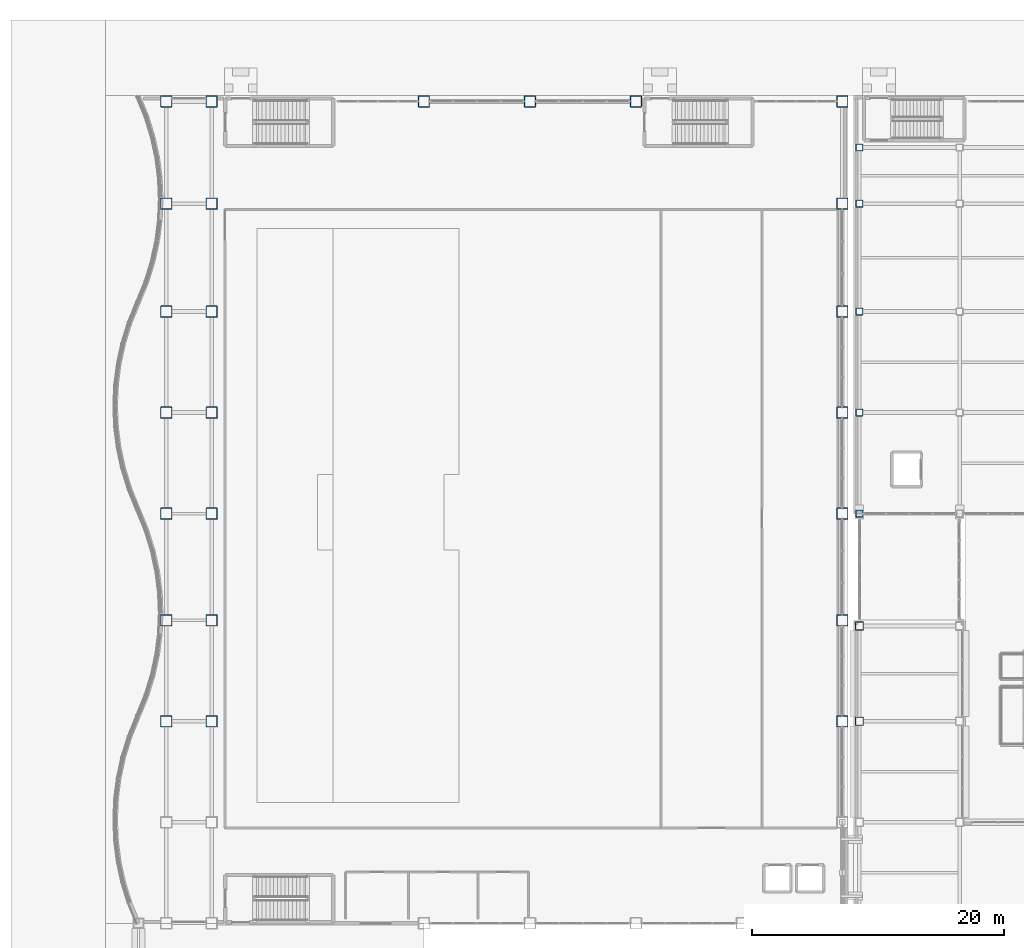
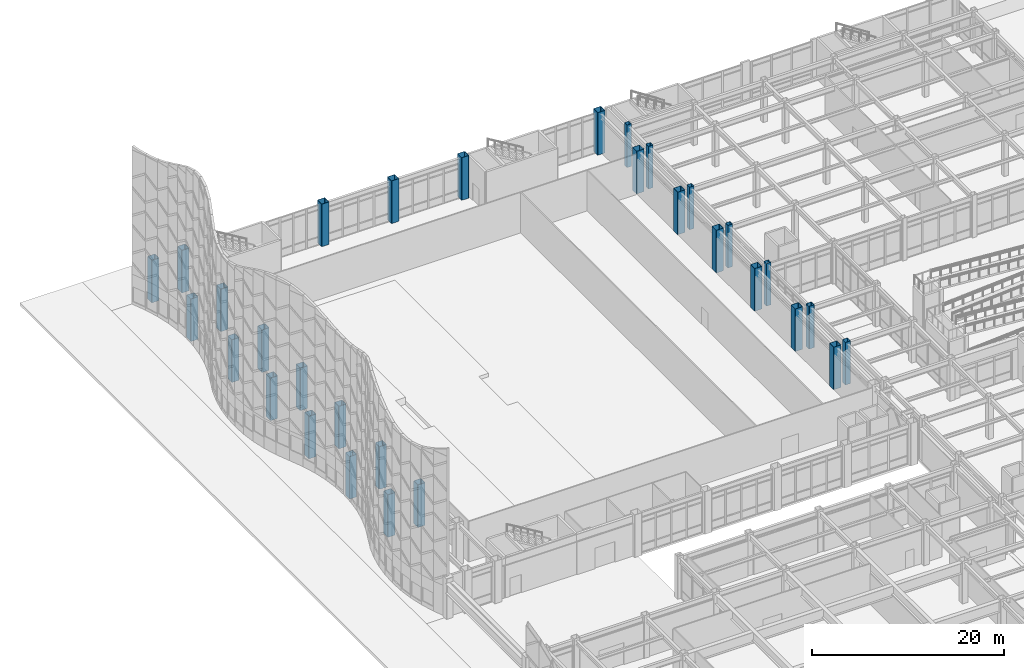
# One storey, part 4 of 165: 31 columns.
"""IFC4 building model written with IfcOpenShell, lengths in metres."""

from ifc_helpers import new_model, si_unit, direction, frame, origin, origin_2d, place, context, subcontext, project, spatial, hollow_rectangle, extrude, material, material_profile, profile_set, type_object, element, save


model = new_model("IFC4")

# Units and contexts
model_context = context("Model", 3, precision=1e-05, world=origin(), true_north=direction((0.0, 1.0)))
body_context = subcontext(model_context, "Body", "Model", "MODEL_VIEW")
ifc_project = project(units=[si_unit("LENGTHUNIT", "METRE"), si_unit("AREAUNIT", "SQUARE_METRE"), si_unit("VOLUMEUNIT", "CUBIC_METRE"), si_unit("PLANEANGLEUNIT", "RADIAN"), si_unit("MASSUNIT", "GRAM", prefix="KILO")], contexts=[model_context])

# Site, building, storey
site_placement = place(None, origin())
site = spatial("IfcSite", under=ifc_project, at=site_placement, CompositionType="ELEMENT")
building_placement = place(site_placement, origin())
building = spatial("IfcBuilding", under=site, at=building_placement, Name="Kazehara Bluff Congress Hotel", CompositionType="ELEMENT")
storey_placement = place(building_placement, origin())
storey = spatial("IfcBuildingStorey", under=building, at=storey_placement, Name="L00", CompositionType="ELEMENT", Elevation=0.0)

# Columns
ifc_material_1 = material(Name="Steel BCR295", Category="steel")
ifc_material_profile_1 = material_profile(ifc_material_1, hollow_rectangle(XDim=0.89990234375, YDim=0.89990234375, WallThickness=0.031982421875, InnerFilletRadius=0.031982421875, OuterFilletRadius=0.06396484375, at=origin_2d()))
ifc_profile_set_1 = profile_set([ifc_material_profile_1], Name="Steel BCR295")
column_type_1 = type_object("IfcColumnType", Name="TP-C-01", PredefinedType="COLUMN", material=ifc_profile_set_1)
for number, where, z_axis, x_axis, name in (
    (1, (4.800048828125, 64.449951171875, 0.0), (0.0, 0.0, 1.0), (1.0, 0.0, 0.0), "L00 mega-column C-01 (4.80,64.45)"),
    (2, (4.800048828125, 72.449951171875, 0.0), (0.0, 0.0, 1.0), (1.0, 0.0, 0.0), "L00 mega-column C-01 (4.80,72.45)"),
    (3, (4.800048828125, 80.89990234375, 0.0), (0.0, 0.0, 1.0), (1.0, 0.0, 0.0), "L00 mega-column C-01 (4.80,80.90)"),
    (4, (4.800048828125, 88.89990234375, 0.0), (0.0, 0.0, 1.0), (1.0, 0.0, 0.0), "L00 mega-column C-01 (4.80,88.90)"),
    (5, (4.800048828125, 96.89990234375, 0.0), (0.0, 0.0, 1.0), (1.0, 0.0, 0.0), "L00 mega-column C-01 (4.80,96.90)"),
    (6, (4.800048828125, 105.449951171875, 0.0), (0.0, 0.0, 1.0), (1.0, 0.0, 0.0), "L00 mega-column C-01 (4.80,105.45)"),
    (7, (4.800048828125, 113.550048828125, 0.0), (0.0, 0.0, 1.0), (1.0, 0.0, 0.0), "L00 mega-column C-01 (4.80,113.55)"),
    (8, (8.39990234375, 64.449951171875, 0.0), (0.0, 0.0, 1.0), (1.0, 0.0, 0.0), "L00 mega-column C-01 (8.40,64.45)"),
    (9, (8.39990234375, 72.449951171875, 0.0), (0.0, 0.0, 1.0), (1.0, 0.0, 0.0), "L00 mega-column C-01 (8.40,72.45)"),
    (10, (8.39990234375, 80.89990234375, 0.0), (0.0, 0.0, 1.0), (1.0, 0.0, 0.0), "L00 mega-column C-01 (8.40,80.90)"),
    (11, (8.39990234375, 88.89990234375, 0.0), (0.0, 0.0, 1.0), (1.0, 0.0, 0.0), "L00 mega-column C-01 (8.40,88.90)"),
    (12, (8.39990234375, 96.89990234375, 0.0), (0.0, 0.0, 1.0), (1.0, 0.0, 0.0), "L00 mega-column C-01 (8.40,96.90)"),
    (13, (8.39990234375, 105.449951171875, 0.0), (0.0, 0.0, 1.0), (1.0, 0.0, 0.0), "L00 mega-column C-01 (8.40,105.45)"),
    (14, (8.39990234375, 113.550048828125, 0.0), (0.0, 0.0, 1.0), (1.0, 0.0, 0.0), "L00 mega-column C-01 (8.40,113.55)"),
    (15, (25.199951171875, 113.550048828125, 0.0), (0.0, 0.0, 1.0), (1.0, 0.0, 0.0), "L00 mega-column C-01 (25.20,113.55)"),
    (16, (33.60009765625, 113.550048828125, 0.0), (0.0, 0.0, 1.0), (1.0, 0.0, 0.0), "L00 mega-column C-01 (33.60,113.55)"),
    (17, (42.0, 113.550048828125, 0.0), (0.0, 0.0, 1.0), (1.0, 0.0, 0.0), "L00 mega-column C-01 (42.00,113.55)"),
    (18, (58.35009765625, 64.449951171875, 0.0), (0.0, 0.0, 1.0), (1.0, 0.0, 0.0), "L00 mega-column C-01 (58.35,64.45)"),
    (19, (58.35009765625, 72.449951171875, 0.0), (0.0, 0.0, 1.0), (1.0, 0.0, 0.0), "L00 mega-column C-01 (58.35,72.45)"),
    (20, (58.35009765625, 80.89990234375, 0.0), (0.0, 0.0, 1.0), (1.0, 0.0, 0.0), "L00 mega-column C-01 (58.35,80.90)"),
    (21, (58.35009765625, 88.89990234375, 0.0), (0.0, 0.0, 1.0), (1.0, 0.0, 0.0), "L00 mega-column C-01 (58.35,88.90)"),
    (22, (58.35009765625, 96.89990234375, 0.0), (0.0, 0.0, 1.0), (1.0, 0.0, 0.0), "L00 mega-column C-01 (58.35,96.90)"),
    (23, (58.35009765625, 105.449951171875, 0.0), (0.0, 0.0, 1.0), (1.0, 0.0, 0.0), "L00 mega-column C-01 (58.35,105.45)"),
    (24, (58.35009765625, 113.550048828125, 0.0), (0.0, 0.0, 1.0), (1.0, 0.0, 0.0), "L00 mega-column C-01 (58.35,113.55)"),
):
    element("IfcColumn", number, at=place(storey_placement, frame(where, z_axis=z_axis, x_axis=x_axis)), inside=storey, type_object=column_type_1, Name=name, PredefinedType="COLUMN", context=body_context, shape_type="SweptSolid", body=[
        extrude(hollow_rectangle(XDim=0.89990234375, YDim=0.89990234375, WallThickness=0.031982421875, InnerFilletRadius=0.031982421875, OuterFilletRadius=0.06396484375, at=origin_2d()), origin(), (0.0, 0.0, 1.0), 5.39990234375),
    ])
ifc_material_2 = material(Name="Steel BCR295", Category="steel")
ifc_material_profile_2 = material_profile(ifc_material_2, hollow_rectangle(XDim=0.64990234375, YDim=0.64990234375, WallThickness=0.02490234375, InnerFilletRadius=0.02490234375, OuterFilletRadius=0.050048828125, at=origin_2d()))
ifc_profile_set_2 = profile_set([ifc_material_profile_2], Name="Steel BCR295")
column_type_2 = type_object("IfcColumnType", Name="TP-C-04", PredefinedType="COLUMN", material=ifc_profile_set_2)
for number, where, z_axis, x_axis, name in (
    (25, (59.699951171875, 64.449951171875, 0.0), (0.0, 0.0, 1.0), (1.0, 0.0, 0.0), "L00 column C-04 (59.70,64.45)"),
    (26, (59.699951171875, 72.0, 0.0), (0.0, 0.0, 1.0), (1.0, 0.0, 0.0), "L00 column C-04 (59.70,72.00)"),
):
    element("IfcColumn", number, at=place(storey_placement, frame(where, z_axis=z_axis, x_axis=x_axis)), inside=storey, type_object=column_type_2, Name=name, PredefinedType="COLUMN", context=body_context, shape_type="SweptSolid", body=[
        extrude(hollow_rectangle(XDim=0.64990234375, YDim=0.64990234375, WallThickness=0.02490234375, InnerFilletRadius=0.02490234375, OuterFilletRadius=0.050048828125, at=origin_2d()), origin(), (0.0, 0.0, 1.0), 5.39990234375),
    ])
ifc_material_3 = material(Name="Steel BCR295", Category="steel")
ifc_material_profile_3 = material_profile(ifc_material_3, hollow_rectangle(XDim=0.550048828125, YDim=0.550048828125, WallThickness=0.02197265625, InnerFilletRadius=0.02197265625, OuterFilletRadius=0.0439453125, at=origin_2d()))
ifc_profile_set_3 = profile_set([ifc_material_profile_3], Name="Steel BCR295")
column_type_3 = type_object("IfcColumnType", Name="TP-C-06", PredefinedType="COLUMN", material=ifc_profile_set_3)
for number, where, z_axis, x_axis, name in (
    (27, (59.699951171875, 80.89990234375, 0.0), (0.0, 0.0, 1.0), (1.0, 0.0, 0.0), "L00 column C-06 (59.70,80.90)"),
    (28, (59.699951171875, 88.89990234375, 0.0), (0.0, 0.0, 1.0), (1.0, 0.0, 0.0), "L00 column C-06 (59.70,88.90)"),
    (29, (59.699951171875, 96.89990234375, 0.0), (0.0, 0.0, 1.0), (1.0, 0.0, 0.0), "L00 column C-06 (59.70,96.90)"),
    (30, (59.699951171875, 105.449951171875, 0.0), (0.0, 0.0, 1.0), (1.0, 0.0, 0.0), "L00 column C-06 (59.70,105.45)"),
    (31, (59.699951171875, 109.89990234375, 0.0), (0.0, 0.0, 1.0), (1.0, 0.0, 0.0), "L00 column C-06 (59.70,109.90)"),
):
    element("IfcColumn", number, at=place(storey_placement, frame(where, z_axis=z_axis, x_axis=x_axis)), inside=storey, type_object=column_type_3, Name=name, PredefinedType="COLUMN", context=body_context, shape_type="SweptSolid", body=[
        extrude(hollow_rectangle(XDim=0.550048828125, YDim=0.550048828125, WallThickness=0.02197265625, InnerFilletRadius=0.02197265625, OuterFilletRadius=0.0439453125, at=origin_2d()), origin(), (0.0, 0.0, 1.0), 5.39990234375),
    ])

save(model, "model.ifc")
